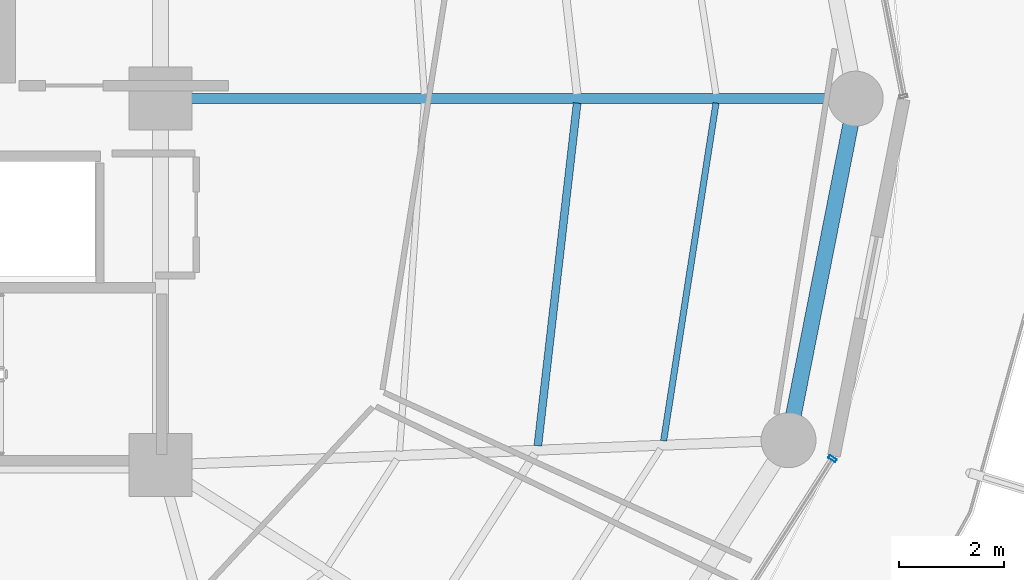
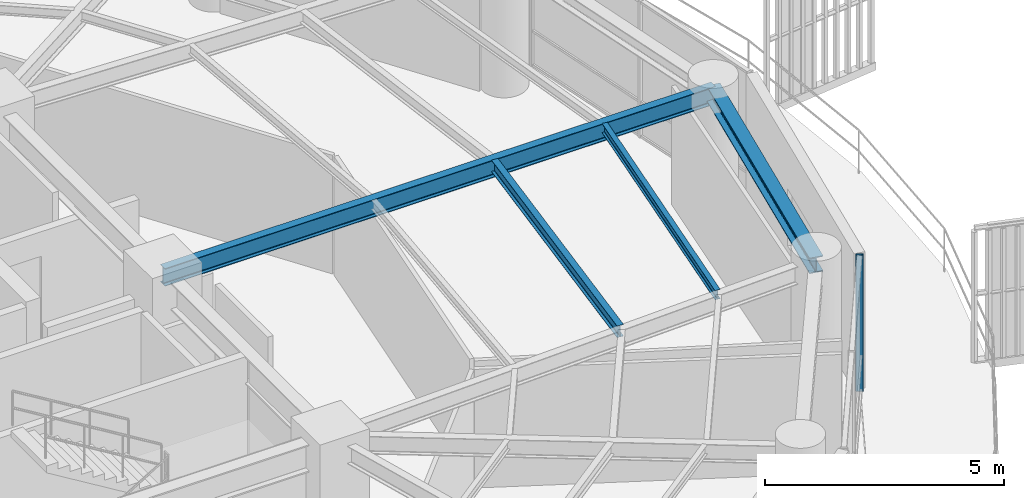
# One storey, part 13 of 30: 4 beams, 1 member, 1 element without a shape of its own.
"""IFC4 building model written with IfcOpenShell, lengths in metres."""

from ifc_helpers import new_model, si_unit, direction, frame, origin, origin_2d, place, context, subcontext, project, spatial, hollow_rectangle, i_section, extrude, material, layer, layer_set, material_profile, profile_set, type_object, element, aggregate, save


model = new_model("IFC4")

# Units and contexts
model_context = context("Model", 3, precision=1e-05, world=origin(), true_north=direction((0.0, 1.0)))
body_context = subcontext(model_context, "Body", "Model", "MODEL_VIEW")
ifc_project = project(units=[si_unit("LENGTHUNIT", "METRE"), si_unit("AREAUNIT", "SQUARE_METRE"), si_unit("VOLUMEUNIT", "CUBIC_METRE"), si_unit("PLANEANGLEUNIT", "RADIAN"), si_unit("MASSUNIT", "GRAM", prefix="KILO")], contexts=[model_context])

# Site, building, storey
site_placement = place(None, origin())
site = spatial("IfcSite", under=ifc_project, at=site_placement, CompositionType="ELEMENT")
building_placement = place(site_placement, origin())
building = spatial("IfcBuilding", under=site, at=building_placement, Name="Kelanora Arch Commons", CompositionType="ELEMENT")
storey_placement = place(building_placement, frame((0.0, 0.0, 215.699951171875)))
storey = spatial("IfcBuildingStorey", under=building, at=storey_placement, Name="L55", CompositionType="ELEMENT", Elevation=215.699951171875)

# Beams
ifc_material_1 = material(Name="Steel S355", Category="steel")
ifc_material_profile_1 = material_profile(ifc_material_1, i_section(OverallWidth=0.14990234375, OverallDepth=0.300048828125, WebThickness=0.007080078125, FlangeThickness=0.0107421875, FilletRadius=0.014892578125, at=origin_2d()), Name="IPE300")
ifc_profile_set_1 = profile_set([ifc_material_profile_1], Name="Steel S355")
beam_type_1 = type_object("IfcBeamType", Name="BM-JST-01", PredefinedType="JOIST", material=ifc_profile_set_1)
beam_1_placement = place(storey_placement, frame((89.207763671875, 51.368896484375, 3.340087890625), z_axis=(0.113891408177, 0.993493204377, 0.0), x_axis=(-0.993493204377, 0.113891408177, 0.0)))
element("IfcBeam", 1, at=beam_1_placement, inside=storey, type_object=beam_type_1, Name="Secondary Chord Joist BJB-34 L55", PredefinedType="JOIST", context=body_context, shape_type="SweptSolid", body=[
    extrude(i_section(OverallWidth=0.14990234375, OverallDepth=0.300048828125, WebThickness=0.007080078125, FlangeThickness=0.0107421875, FilletRadius=0.014892578125, at=origin_2d()), origin(), (0.0, 0.0, 1.0), 6.589599609375),
])
ifc_material_profile_2 = material_profile(ifc_material_1, i_section(OverallWidth=0.1201171875, OverallDepth=0.239990234375, WebThickness=0.006103515625, FlangeThickness=0.009765625, FilletRadius=0.014892578125, at=origin_2d()), Name="IPE240")
ifc_profile_set_2 = profile_set([ifc_material_profile_2], Name="Steel S355")
beam_type_2 = type_object("IfcBeamType", Name="BM-JST-02", PredefinedType="JOIST", material=ifc_profile_set_2)
beam_2_placement = place(storey_placement, frame((91.6103515625, 51.46337890625, 3.3701171875), z_axis=(0.153256756152, 0.988186402808, 0.0), x_axis=(-0.988186402808, 0.153256756152, 0.0)))
element("IfcBeam", 2, at=beam_2_placement, inside=storey, type_object=beam_type_2, Name="Secondary Chord Joist BJC-34 L55", PredefinedType="JOIST", context=body_context, shape_type="SweptSolid", body=[
    extrude(i_section(OverallWidth=0.1201171875, OverallDepth=0.239990234375, WebThickness=0.006103515625, FlangeThickness=0.009765625, FilletRadius=0.014892578125, at=origin_2d()), origin(), (0.0, 0.0, 1.0), 6.52978515625),
])
ifc_material_profile_3 = material_profile(ifc_material_1, i_section(OverallWidth=0.18994140625, OverallDepth=0.449951171875, WebThickness=0.009521484375, FlangeThickness=0.0146484375, FilletRadius=0.02099609375, at=origin_2d()), Name="IPE450")
ifc_profile_set_3 = profile_set([ifc_material_profile_3], Name="Steel S355")
beam_type_3 = type_object("IfcBeamType", Name="BM-RAD-Z4", PredefinedType="BEAM", material=ifc_profile_set_3)
beam_3_placement = place(storey_placement, frame((82.0, 58.0, 3.26513671875), z_axis=(1.0, 0.0, 0.0), x_axis=(0.0, 1.0, 0.0)))
element("IfcBeam", 3, at=beam_3_placement, inside=storey, type_object=beam_type_3, Name="Radial Floor Girder BR-00 L55", PredefinedType="BEAM", context=body_context, shape_type="SweptSolid", body=[
    extrude(i_section(OverallWidth=0.18994140625, OverallDepth=0.449951171875, WebThickness=0.009521484375, FlangeThickness=0.0146484375, FilletRadius=0.02099609375, at=origin_2d()), origin(), (0.0, 0.0, 1.0), 13.280029296875),
])
ifc_material_profile_4 = material_profile(ifc_material_1, i_section(OverallWidth=0.300048828125, OverallDepth=0.39990234375, WebThickness=0.013427734375, FlangeThickness=0.02392578125, FilletRadius=0.027099609375, at=origin_2d()), Name="HEB400")
ifc_profile_set_4 = profile_set([ifc_material_profile_4], Name="Steel S355")
beam_type_4 = type_object("IfcBeamType", Name="BM-SPN-Z4", PredefinedType="SPANDREL", material=ifc_profile_set_4)
beam_4_placement = place(storey_placement, frame((93.99658203125, 51.474365234375, 3.2900390625), z_axis=(0.192980724826, 0.981202547819, 0.0), x_axis=(-0.981202547819, 0.192980724826, 0.0)))
element("IfcBeam", 4, at=beam_4_placement, inside=storey, type_object=beam_type_4, Name="Perimeter Spandrel Beam BS-34 L55", PredefinedType="SPANDREL", context=body_context, shape_type="SweptSolid", body=[
    extrude(i_section(OverallWidth=0.300048828125, OverallDepth=0.39990234375, WebThickness=0.013427734375, FlangeThickness=0.02392578125, FilletRadius=0.027099609375, at=origin_2d()), origin(), (0.0, 0.0, 1.0), 6.650634765625),
])

# Curtain wall, member
ifc_material_2 = material(Name="Terracotta ceramic-fritted low-E glass and aluminium", Category="masonry")
ifc_layer = layer(ifc_material_2, 0.175048828125)
ifc_layer_set = layer_set([ifc_layer], Name="Terracotta ceramic-fritted low-E glass and aluminium")
curtain_wall_type = type_object("IfcCurtainWallType", Name="CW-SYS-02", PredefinedType="NOTDEFINED", material=ifc_layer_set)
curtain_wall_placement = place(storey_placement, origin())
curtain_wall = element("IfcCurtainWall", 5, at=curtain_wall_placement, inside=storey, type_object=curtain_wall_type, Name="Unitised Curtain Wall L55-B16", PredefinedType="NOTDEFINED")
ifc_material_3 = material(Name="Powder-coated aluminium terracotta", Category="masonry")
ifc_material_profile_5 = material_profile(ifc_material_3, hollow_rectangle(XDim=0.159912109375, YDim=0.06005859375, WallThickness=0.0048828125, InnerFilletRadius=0.0048828125, OuterFilletRadius=0.010009765625, at=origin_2d()), Name="CWM160x60")
ifc_profile_set_5 = profile_set([ifc_material_profile_5], Name="Powder-coated aluminium terracotta")
member_type = type_object("IfcMemberType", Name="CWM-STD", PredefinedType="MULLION", material=ifc_profile_set_5)
member_placement = place(storey_placement, frame((94.8369140625, 51.121826171875, 0.0), z_axis=(0.0, 0.0, 1.0), x_axis=(-0.84194757539, 0.539559338994, 0.0)))
member = element("IfcMember", 6, at=member_placement, type_object=member_type, Name="CW-02 mullion 3", PredefinedType="MULLION", context=body_context, shape_type="SweptSolid", body=[
    extrude(hollow_rectangle(XDim=0.159912109375, YDim=0.06005859375, WallThickness=0.0048828125, InnerFilletRadius=0.0048828125, OuterFilletRadius=0.010009765625, at=origin_2d()), origin(), (0.0, 0.0, 1.0), 3.47509765625),
])
aggregate(curtain_wall, [member])

save(model, "model.ifc")
